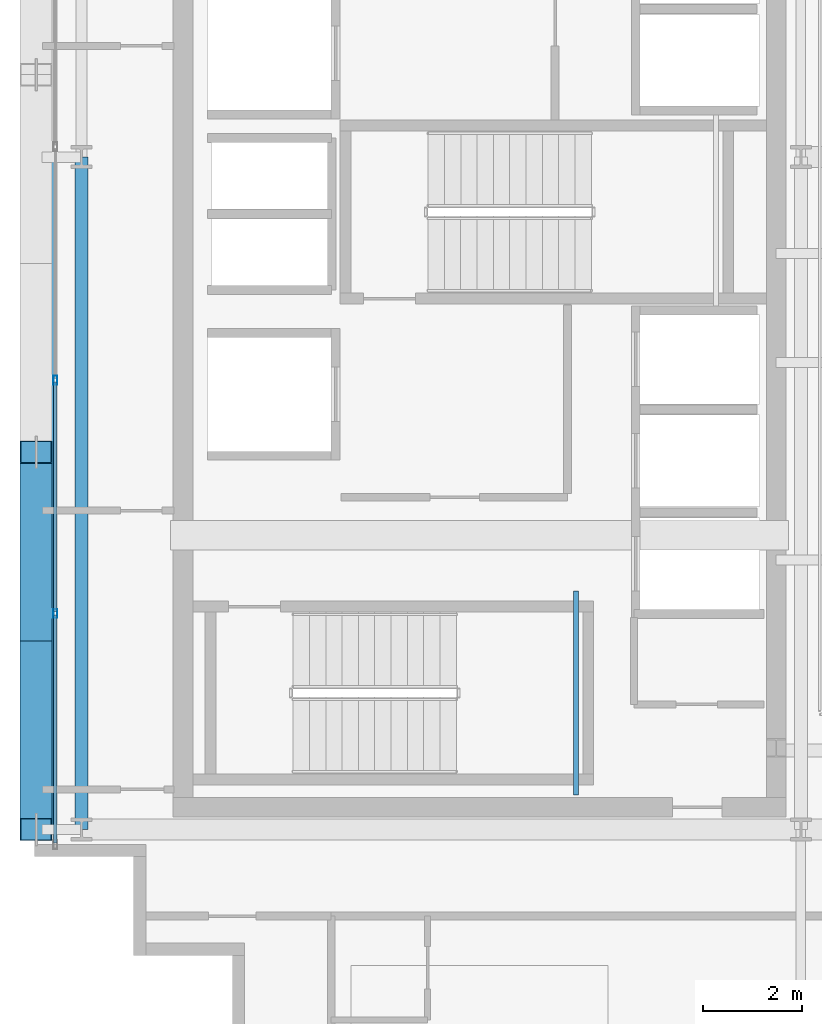
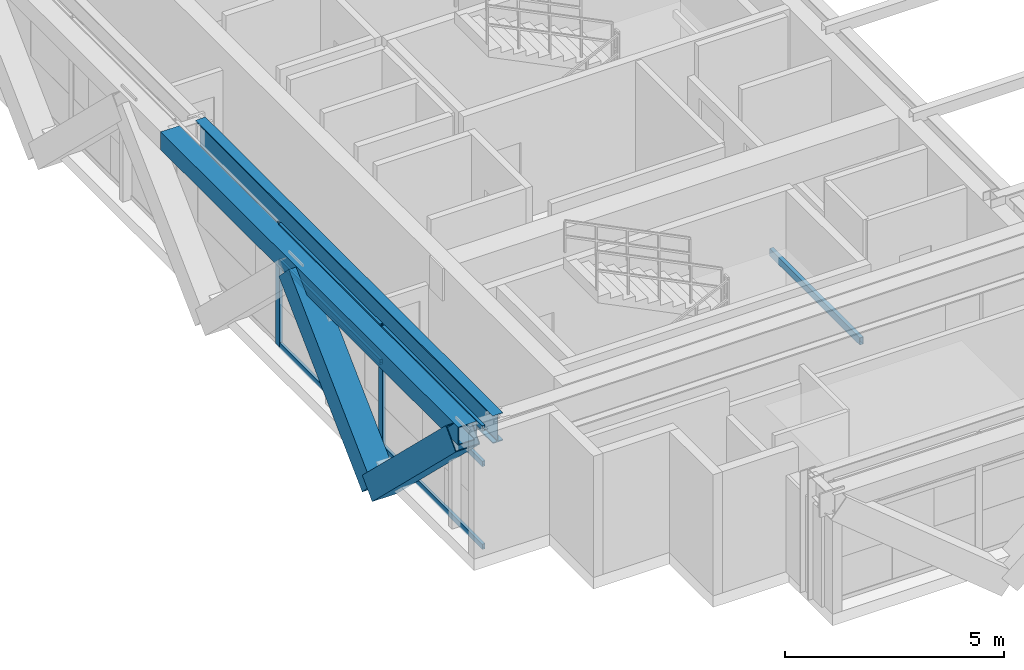
# One storey, part 4 of 29: 10 members, 3 beams, 1 element without a shape of its own.
"""IFC4 building model written with IfcOpenShell, lengths in metres."""

from ifc_helpers import new_model, si_unit, direction, frame, origin, origin_2d, place, context, subcontext, project, spatial, hollow_rectangle, i_section, extrude, source, transform, mapped, material, layer, layer_set, material_profile, profile_set, type_object, element, aggregate, save


model = new_model("IFC4")

# Units and contexts
model_context = context("Model", 3, precision=1e-05, world=origin(), true_north=direction((0.0, 1.0)))
body_context = subcontext(model_context, "Body", "Model", "MODEL_VIEW")
ifc_project = project(units=[si_unit("LENGTHUNIT", "METRE"), si_unit("AREAUNIT", "SQUARE_METRE"), si_unit("VOLUMEUNIT", "CUBIC_METRE"), si_unit("PLANEANGLEUNIT", "RADIAN"), si_unit("MASSUNIT", "GRAM", prefix="KILO")], contexts=[model_context])

# Site, building, storey
site_placement = place(None, origin())
site = spatial("IfcSite", under=ifc_project, at=site_placement, CompositionType="ELEMENT")
building_placement = place(site_placement, origin())
building = spatial("IfcBuilding", under=site, at=building_placement, Name="Ocotamira Hotel", CompositionType="ELEMENT")
storey_placement = place(building_placement, frame((0.0, 0.0, 247.199951171875)))
storey = spatial("IfcBuildingStorey", under=building, at=storey_placement, Name="L62", CompositionType="ELEMENT", Elevation=247.199951171875)

# Beams
ifc_material_1 = material(Name="Steel ASTM A500 Grade C", Category="steel")
ifc_material_profile_1 = material_profile(ifc_material_1, hollow_rectangle(XDim=0.10009765625, YDim=0.199951171875, WallThickness=0.008056640625, at=origin_2d()), Name="HSS200X100X8")
ifc_profile_set_1 = profile_set([ifc_material_profile_1], Name="Steel ASTM A500 Grade C")
beam_type_1 = type_object("IfcBeamType", Name="BM-STLDG-HSS200", PredefinedType="BEAM", material=ifc_profile_set_1)
shared_shape_1 = source(origin(), body_context, "Body", "SweptSolid", [
    extrude(hollow_rectangle(XDim=0.10009765625, YDim=0.199951171875, WallThickness=0.008056640625, at=origin_2d()), origin(), (0.0, 0.0, 1.0), 4.1201171875),
])
beam_1_placement = place(storey_placement, frame((18.949951171875, 15.25, 1.5), z_axis=(0.0, 1.0, 0.0), x_axis=(-1.0, 0.0, 0.0)))
element("IfcBeam", 1, at=beam_1_placement, inside=storey, type_object=beam_type_1, Name="L62 Stair ST-1 Landing Bearer 1", PredefinedType="BEAM", context=body_context, shape_type="MappedRepresentation", body=[
    mapped(shared_shape_1, transform((0.0, 0.0, 0.0), scale=1.0)),
])
ifc_material_2 = material(Name="Steel ASTM A992 Grade 50", Category="steel")
ifc_material_profile_2 = material_profile(ifc_material_2, i_section(OverallWidth=0.26611328125, OverallDepth=0.779052734375, WebThickness=0.0166015625, FlangeThickness=0.030029296875, FilletRadius=0.01806640625, at=origin_2d()), Name="W30X148")
ifc_profile_set_2 = profile_set([ifc_material_profile_2], Name="Steel ASTM A992 Grade 50")
beam_type_2 = type_object("IfcBeamType", Name="BM-GIRD-W30X148", PredefinedType="BEAM", material=ifc_profile_set_2)
shared_shape_2 = source(origin(), body_context, "Body", "SweptSolid", [
    extrude(i_section(OverallWidth=0.26611328125, OverallDepth=0.779052734375, WebThickness=0.0166015625, FlangeThickness=0.030029296875, FilletRadius=0.01806640625, at=origin_2d()), origin(), (0.0, 0.0, 1.0), 13.599853515625),
])
beam_2_placement = place(storey_placement, frame((8.949951171875, 14.550048828125, 2.990478515625), z_axis=(0.0, 1.0, 0.0), x_axis=(-1.0, 0.0, 0.0)))
element("IfcBeam", 2, at=beam_2_placement, inside=storey, type_object=beam_type_2, Name="L62 Beam X8.95 Y14.55-28.15", PredefinedType="BEAM", context=body_context, shape_type="MappedRepresentation", body=[
    mapped(shared_shape_2, transform((0.0, 0.0, 0.0), scale=1.0)),
])
ifc_material_profile_3 = material_profile(ifc_material_1, hollow_rectangle(XDim=0.5, YDim=0.5, WallThickness=0.02001953125, at=origin_2d()), Name="HSS500X500X20")
ifc_profile_set_3 = profile_set([ifc_material_profile_3], Name="Steel ASTM A500 Grade C")
beam_type_3 = type_object("IfcBeamType", Name="BM-SPAN-HSS500", PredefinedType="USERDEFINED", material=ifc_profile_set_3)
shared_shape_3 = source(origin(), body_context, "Body", "SweptSolid", [
    extrude(hollow_rectangle(XDim=0.5, YDim=0.5, WallThickness=0.02001953125, at=origin_2d()), origin(), (0.0, 0.0, 1.0), 13.599853515625),
])
beam_3_placement = place(storey_placement, frame((8.14990234375, 14.550048828125, 3.130126953125), z_axis=(0.0, 1.0, 0.0), x_axis=(-1.0, 0.0, 0.0)))
element("IfcBeam", 3, at=beam_3_placement, inside=storey, type_object=beam_type_3, Name="L62 Edge Spandrel W Y14.55-28.15", ObjectType="SPANDREL", PredefinedType="USERDEFINED", context=body_context, shape_type="MappedRepresentation", body=[
    mapped(shared_shape_3, transform((0.0, 0.0, 0.0), scale=1.0)),
])

# Members
ifc_material_3 = material(Name="Pale-metal coated steel ASTM A913 Grade 65", Category="steel")
ifc_material_profile_4 = material_profile(ifc_material_3, hollow_rectangle(XDim=0.64990234375, YDim=0.64990234375, WallThickness=0.02197265625, at=origin_2d()), Name="BOX650X650X22")
ifc_profile_set_4 = profile_set([ifc_material_profile_4], Name="Pale-metal coated steel ASTM A913 Grade 65")
member_type_1 = type_object("IfcMemberType", Name="MEM-EXO-BOX650", PredefinedType="BRACE", material=ifc_profile_set_4)
shared_shape_4 = source(origin(), body_context, "Body", "SweptSolid", [
    extrude(hollow_rectangle(XDim=0.64990234375, YDim=0.64990234375, WallThickness=0.02197265625, at=origin_2d()), origin(), (0.0, 0.0, 1.0), 5.31591796875),
])
for number, where, z_axis, x_axis, name in (
    (4, (8.030029296875, 18.36669921875, -0.570068359375), (0.0, -0.717975506843, 0.696068367026), (1.0, 0.0, 0.0), "L62 Exoskeleton Diagrid W0.1"),
    (5, (8.030029296875, 18.36669921875, -0.570068359375), (0.0, 0.717975506843, 0.696068367026), (-1.0, 0.0, 0.0), "L62 Exoskeleton Diagrid W0.2"),
):
    element("IfcMember", number, at=place(storey_placement, frame(where, z_axis=z_axis, x_axis=x_axis)), inside=storey, type_object=member_type_1, Name=name, PredefinedType="BRACE", context=body_context, shape_type="MappedRepresentation", body=[
        mapped(shared_shape_4, transform((0.0, 0.0, 0.0), scale=1.0)),
    ])

# Curtain wall, members
ifc_material_4 = material(Name="Anodised pale-metal aluminium and solar glass", Category="aluminium")
ifc_layer = layer(ifc_material_4, 0.239990234375)
ifc_layer_set = layer_set([ifc_layer], Name="Anodised pale-metal aluminium and solar glass")
curtain_wall_type = type_object("IfcCurtainWallType", Name="CW-SYS5-SKY", PredefinedType="NOTDEFINED", material=ifc_layer_set)
curtain_wall_placement = place(storey_placement, origin())
curtain_wall = element("IfcCurtainWall", 6, at=curtain_wall_placement, inside=storey, type_object=curtain_wall_type, Name="L62 Curtain Wall CW-5 CW-L62-W", PredefinedType="NOTDEFINED")
ifc_material_5 = material(Name="Anodised pale-metal aluminium 6063-T6", Category="aluminium")
ifc_material_profile_5 = material_profile(ifc_material_5, hollow_rectangle(XDim=0.074951171875, YDim=0.14990234375, WallThickness=0.006103515625, at=origin_2d()), Name="HSS150X75X6")
ifc_profile_set_5 = profile_set([ifc_material_profile_5], Name="Anodised pale-metal aluminium 6063-T6")
member_type_2 = type_object("IfcMemberType", Name="CWT-150X75", PredefinedType="USERDEFINED", material=ifc_profile_set_5)
shared_shape_5 = source(origin(), body_context, "Body", "SweptSolid", [
    extrude(hollow_rectangle(XDim=0.074951171875, YDim=0.14990234375, WallThickness=0.006103515625, at=origin_2d()), origin(), (0.0, 0.0, 1.0), 4.599853515625),
])
member_1_placement = place(storey_placement, frame((8.419921875, 14.280029296875, 0.03759765625), z_axis=(0.0, 1.0, 0.0), x_axis=(-1.0, 0.0, 0.0)))
member_1 = element("IfcMember", 7, at=member_1_placement, type_object=member_type_2, Name="CW-5 transom 1.1", ObjectType="TRANSOM", PredefinedType="USERDEFINED", context=body_context, shape_type="MappedRepresentation", body=[
    mapped(shared_shape_5, transform((0.0, 0.0, 0.0), scale=1.0)),
])
member_2_placement = place(storey_placement, frame((8.419921875, 14.280029296875, 2.35009765625), z_axis=(0.0, 1.0, 0.0), x_axis=(-1.0, 0.0, 0.0)))
member_2 = element("IfcMember", 8, at=member_2_placement, type_object=member_type_2, Name="CW-5 transom 1.2", ObjectType="TRANSOM", PredefinedType="USERDEFINED", context=body_context, shape_type="MappedRepresentation", body=[
    mapped(shared_shape_5, transform((0.0, 0.0, 0.0), scale=1.0)),
])
member_3_placement = place(storey_placement, frame((8.419921875, 14.280029296875, 3.342529296875), z_axis=(0.0, 1.0, 0.0), x_axis=(-1.0, 0.0, 0.0)))
member_3 = element("IfcMember", 9, at=member_3_placement, type_object=member_type_2, Name="CW-5 transom 1.3", ObjectType="TRANSOM", PredefinedType="USERDEFINED", context=body_context, shape_type="MappedRepresentation", body=[
    mapped(shared_shape_5, transform((0.0, 0.0, 0.0), scale=1.0)),
])
shared_shape_6 = source(origin(), body_context, "Body", "SweptSolid", [
    extrude(hollow_rectangle(XDim=0.074951171875, YDim=0.14990234375, WallThickness=0.006103515625, at=origin_2d()), origin(), (0.0, 0.0, 1.0), 4.64013671875),
])
member_4_placement = place(storey_placement, frame((8.419921875, 18.9599609375, 0.03759765625), z_axis=(0.0, 1.0, 0.0), x_axis=(-1.0, 0.0, 0.0)))
member_4 = element("IfcMember", 10, at=member_4_placement, type_object=member_type_2, Name="CW-5 transom 2.1", ObjectType="TRANSOM", PredefinedType="USERDEFINED", context=body_context, shape_type="MappedRepresentation", body=[
    mapped(shared_shape_6, transform((0.0, 0.0, 0.0), scale=1.0)),
])
member_5_placement = place(storey_placement, frame((8.419921875, 18.9599609375, 2.35009765625), z_axis=(0.0, 1.0, 0.0), x_axis=(-1.0, 0.0, 0.0)))
member_5 = element("IfcMember", 11, at=member_5_placement, type_object=member_type_2, Name="CW-5 transom 2.2", ObjectType="TRANSOM", PredefinedType="USERDEFINED", context=body_context, shape_type="MappedRepresentation", body=[
    mapped(shared_shape_6, transform((0.0, 0.0, 0.0), scale=1.0)),
])
member_6_placement = place(storey_placement, frame((8.419921875, 18.9599609375, 3.342529296875), z_axis=(0.0, 1.0, 0.0), x_axis=(-1.0, 0.0, 0.0)))
member_6 = element("IfcMember", 12, at=member_6_placement, type_object=member_type_2, Name="CW-5 transom 2.3", ObjectType="TRANSOM", PredefinedType="USERDEFINED", context=body_context, shape_type="MappedRepresentation", body=[
    mapped(shared_shape_6, transform((0.0, 0.0, 0.0), scale=1.0)),
])
ifc_material_profile_6 = material_profile(ifc_material_5, hollow_rectangle(XDim=0.080078125, YDim=0.179931640625, WallThickness=0.006103515625, at=origin_2d()), Name="HSS180X80X6")
ifc_profile_set_6 = profile_set([ifc_material_profile_6], Name="Anodised pale-metal aluminium 6063-T6")
member_type_3 = type_object("IfcMemberType", Name="CWM-180X75", PredefinedType="MULLION", material=ifc_profile_set_6)
shared_shape_7 = source(origin(), body_context, "Body", "SweptSolid", [
    extrude(hollow_rectangle(XDim=0.080078125, YDim=0.179931640625, WallThickness=0.006103515625, at=origin_2d()), origin(), (0.0, 0.0, 1.0), 3.380126953125),
])
member_7_placement = place(storey_placement, frame((8.419921875, 18.919921875, 0.0), z_axis=(0.0, 0.0, 1.0), x_axis=(-1.0, 0.0, 0.0)))
member_7 = element("IfcMember", 13, at=member_7_placement, type_object=member_type_3, Name="CW-5 mullion 2", PredefinedType="MULLION", context=body_context, shape_type="MappedRepresentation", body=[
    mapped(shared_shape_7, transform((0.0, 0.0, 0.0), scale=1.0)),
])
member_8_placement = place(storey_placement, frame((8.419921875, 23.639892578125, 0.0), z_axis=(0.0, 0.0, 1.0), x_axis=(-1.0, 0.0, 0.0)))
member_8 = element("IfcMember", 14, at=member_8_placement, type_object=member_type_3, Name="CW-5 mullion 3", PredefinedType="MULLION", context=body_context, shape_type="MappedRepresentation", body=[
    mapped(shared_shape_7, transform((0.0, 0.0, 0.0), scale=1.0)),
])
aggregate(curtain_wall, [member_7, member_8, member_1, member_2, member_3, member_4, member_5, member_6])

save(model, "model.ifc")
